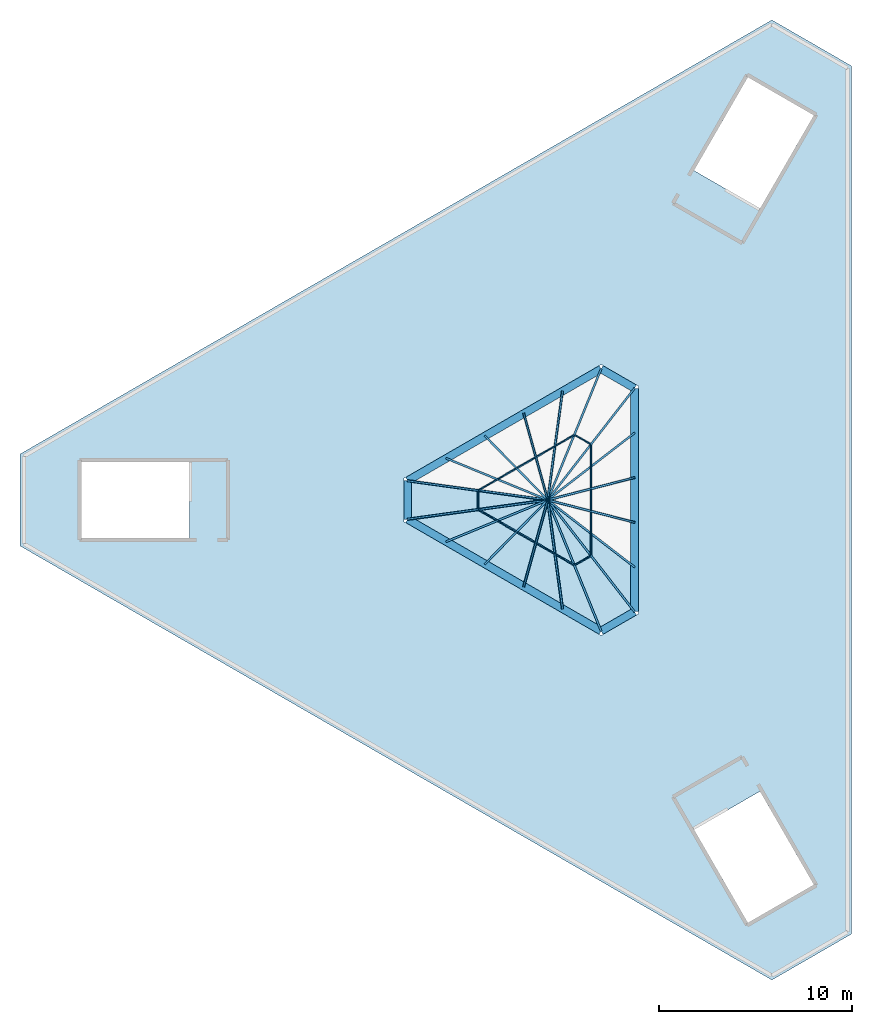
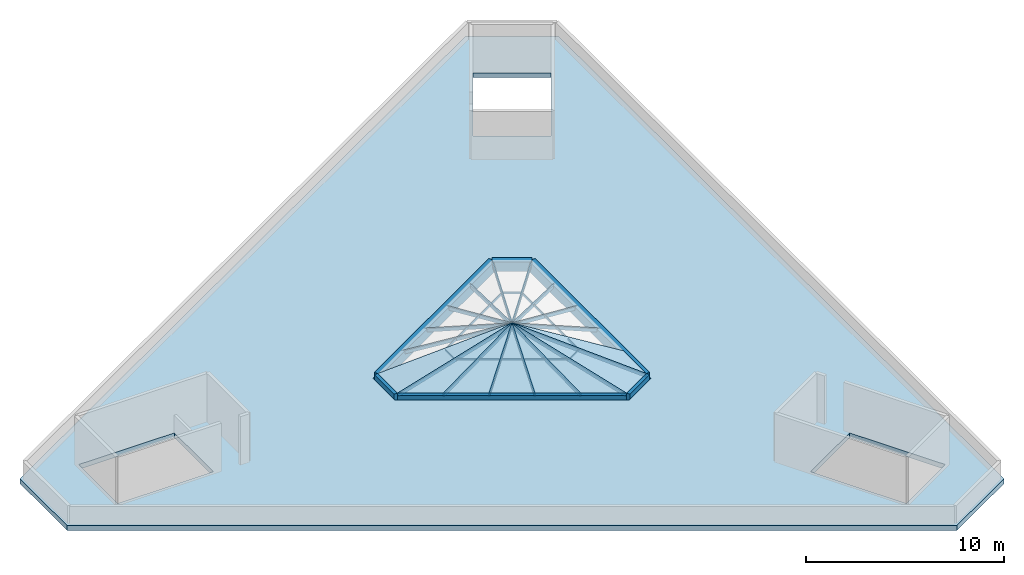
# One storey, part 1 of 2: 36 members, 8 plates, 6 beams, 1 slab, 18 elements without a shape of their own.
"""IFC4 building model written with IfcOpenShell, lengths in metres."""

from ifc_helpers import new_model, si_unit, direction, frame, origin, origin_2d, place, context, subcontext, project, spatial, polyline, rectangle, outline, extrude, material, layer, layer_set, material_profile, profile_set, type_object, element, aggregate, save


model = new_model("IFC4")

# Units and contexts
model_context = context("Model", 3, precision=1e-05, world=origin(), true_north=direction((0.0, 1.0)))
body_context = subcontext(model_context, "Body", "Model", "MODEL_VIEW")
ifc_project = project(units=[si_unit("LENGTHUNIT", "METRE"), si_unit("AREAUNIT", "SQUARE_METRE"), si_unit("VOLUMEUNIT", "CUBIC_METRE"), si_unit("PLANEANGLEUNIT", "RADIAN"), si_unit("MASSUNIT", "GRAM", prefix="KILO")], contexts=[model_context])

# Site, building, storey
site_placement = place(None, origin())
site = spatial("IfcSite", under=ifc_project, at=site_placement, CompositionType="ELEMENT")
building_placement = place(site_placement, origin())
building = spatial("IfcBuilding", under=site, at=building_placement, Name="Jabali Bay Hotel Tower and Convention Centre", CompositionType="ELEMENT")
storey_placement = place(building_placement, frame((0.0, 0.0, 322.300048828125)))
storey = spatial("IfcBuildingStorey", under=building, at=storey_placement, Name="Roof", CompositionType="ELEMENT", Elevation=322.300048828125)

# Beams
ifc_material_1 = material(Name="Concrete C40", Category="concrete")
ifc_material_profile_1 = material_profile(ifc_material_1, rectangle(XDim=0.39990234375, YDim=0.60009765625, at=origin_2d()), Name="Atrium roof curb beam 400 x 600")
ifc_profile_set_1 = profile_set([ifc_material_profile_1], Name="Concrete C40")
beam_type = type_object("IfcBeamType", Name="Atrium roof curb beam 400 x 600", PredefinedType="BEAM", material=ifc_profile_set_1)
beam_1_placement = place(storey_placement, frame((79.5, 74.205810546875, 0.0), z_axis=(0.0, 1.0, 0.0), x_axis=(-1.0, 0.0, 0.0)))
element("IfcBeam", 1, at=beam_1_placement, inside=storey, type_object=beam_type, Name="Atrium roof curb beam", PredefinedType="BEAM", context=body_context, shape_type="SweptSolid", body=[
    extrude(rectangle(XDim=0.39990234375, YDim=0.60009765625, at=origin_2d()), origin(), (0.0, 0.0, 1.0), 11.58837890625),
])
beam_2_placement = place(storey_placement, frame((79.5, 85.794189453125, 0.0), z_axis=(-0.866010750942, 0.50002537861, 0.0), x_axis=(-0.50002537861, -0.866010750942, 0.0)))
element("IfcBeam", 2, at=beam_2_placement, inside=storey, type_object=beam_type, Name="Atrium roof curb beam", PredefinedType="BEAM", context=body_context, shape_type="SweptSolid", body=[
    extrude(rectangle(XDim=0.39990234375, YDim=0.60009765625, at=origin_2d()), origin(), (0.0, 0.0, 1.0), 2.0),
])
beam_3_placement = place(storey_placement, frame((77.76806640625, 86.794189453125, 0.0), z_axis=(-0.866031924989, -0.499988704772, 0.0), x_axis=(0.499988704772, -0.866031924989, 0.0)))
element("IfcBeam", 3, at=beam_3_placement, inside=storey, type_object=beam_type, Name="Atrium roof curb beam", PredefinedType="BEAM", context=body_context, shape_type="SweptSolid", body=[
    extrude(rectangle(XDim=0.39990234375, YDim=0.60009765625, at=origin_2d()), origin(), (0.0, 0.0, 1.0), 11.588623046875),
])
beam_4_placement = place(storey_placement, frame((67.73193359375, 81.0, 0.0), z_axis=(0.0, -1.0, 0.0), x_axis=(1.0, 0.0, 0.0)))
element("IfcBeam", 4, at=beam_4_placement, inside=storey, type_object=beam_type, Name="Atrium roof curb beam", PredefinedType="BEAM", context=body_context, shape_type="SweptSolid", body=[
    extrude(rectangle(XDim=0.39990234375, YDim=0.60009765625, at=origin_2d()), origin(), (0.0, 0.0, 1.0), 2.0),
])
beam_5_placement = place(storey_placement, frame((67.73193359375, 79.0, 0.0), z_axis=(0.866031924989, -0.499988704772, 0.0), x_axis=(0.499988704772, 0.866031924989, 0.0)))
element("IfcBeam", 5, at=beam_5_placement, inside=storey, type_object=beam_type, Name="Atrium roof curb beam", PredefinedType="BEAM", context=body_context, shape_type="SweptSolid", body=[
    extrude(rectangle(XDim=0.39990234375, YDim=0.60009765625, at=origin_2d()), origin(), (0.0, 0.0, 1.0), 11.588623046875),
])
beam_6_placement = place(storey_placement, frame((77.76806640625, 73.205810546875, 0.0), z_axis=(0.866010750942, 0.50002537861, 0.0), x_axis=(-0.50002537861, 0.866010750942, 0.0)))
element("IfcBeam", 6, at=beam_6_placement, inside=storey, type_object=beam_type, Name="Atrium roof curb beam", PredefinedType="BEAM", context=body_context, shape_type="SweptSolid", body=[
    extrude(rectangle(XDim=0.39990234375, YDim=0.60009765625, at=origin_2d()), origin(), (0.0, 0.0, 1.0), 2.0),
])

# Curtain wall, member
ifc_material_2 = material(Name="Steel and glass", Category="steel")
ifc_layer_1 = layer(ifc_material_2, 0.199951171875)
ifc_layer_set_1 = layer_set([ifc_layer_1], Name="Steel and glass")
curtain_wall_type = type_object("IfcCurtainWallType", Name="CW7 sloped glazing", PredefinedType="NOTDEFINED", material=ifc_layer_set_1)
curtain_wall_1_placement = place(storey_placement, origin())
curtain_wall_1 = element("IfcCurtainWall", 7, at=curtain_wall_1_placement, inside=storey, type_object=curtain_wall_type, Name="CW7 sloped glazing atrium roof", PredefinedType="NOTDEFINED")
ifc_material_3 = material(Name="Steel Q355B", Category="steel")
ifc_material_profile_2 = material_profile(ifc_material_3, rectangle(XDim=0.10009765625, YDim=0.199951171875, at=origin_2d()), Name="CW7 hip mullion 100 x 200")
ifc_profile_set_2 = profile_set([ifc_material_profile_2], Name="Steel Q355B")
member_type_1 = type_object("IfcMemberType", Name="CW7 hip mullion 100 x 200", PredefinedType="MULLION", material=ifc_profile_set_2)
member_1_placement = place(storey_placement, frame((79.5, 74.205810546875, 0.166015625), z_axis=(-0.605336963472, 0.779430455408, 0.161416621933), x_axis=(-0.78978744905, -0.613380620271, 0.0)))
member_1 = element("IfcMember", 8, at=member_1_placement, type_object=member_type_1, Name="CW7 hip mullion", PredefinedType="MULLION", context=body_context, shape_type="SweptSolid", body=[
    extrude(rectangle(XDim=0.10009765625, YDim=0.199951171875, at=origin_2d()), origin(), (0.0, 0.0, 1.0), 7.433837890625),
])

curtain_wall_2_placement = place(storey_placement, origin())
curtain_wall_2 = element("IfcCurtainWall", 9, at=curtain_wall_2_placement, inside=storey, type_object=curtain_wall_type, Name="CW7 sloped glazing atrium roof", PredefinedType="NOTDEFINED")
member_2_placement = place(storey_placement, frame((79.5, 76.5234375, 0.164306640625), z_axis=(-0.774294241582, 0.598196072056, 0.206470062792), x_axis=(-0.611369296281, -0.791345426198, 0.0)))
member_2 = element("IfcMember", 10, at=member_2_placement, type_object=member_type_1, Name="CW7 hip mullion", PredefinedType="MULLION", context=body_context, shape_type="SweptSolid", body=[
    extrude(rectangle(XDim=0.10009765625, YDim=0.199951171875, at=origin_2d()), origin(), (0.0, 0.0, 1.0), 5.811767578125),
])

curtain_wall_3_placement = place(storey_placement, origin())
curtain_wall_3 = element("IfcCurtainWall", 11, at=curtain_wall_3_placement, inside=storey, type_object=curtain_wall_type, Name="CW7 sloped glazing atrium roof", PredefinedType="NOTDEFINED")
member_3_placement = place(storey_placement, frame((79.5, 78.841064453125, 0.163330078125), z_axis=(-0.937642154382, 0.241481516214, 0.250027733767), x_axis=(-0.249402882134, -0.968399815357, 0.0)))
member_3 = element("IfcMember", 12, at=member_3_placement, type_object=member_type_1, Name="CW7 hip mullion", PredefinedType="MULLION", context=body_context, shape_type="SweptSolid", body=[
    extrude(rectangle(XDim=0.10009765625, YDim=0.199951171875, at=origin_2d()), origin(), (0.0, 0.0, 1.0), 4.79931640625),
])

curtain_wall_4_placement = place(storey_placement, origin())
curtain_wall_4 = element("IfcCurtainWall", 13, at=curtain_wall_4_placement, inside=storey, type_object=curtain_wall_type, Name="CW7 sloped glazing atrium roof", PredefinedType="NOTDEFINED")
member_4_placement = place(storey_placement, frame((79.5, 81.158935546875, 0.163330078125), z_axis=(-0.937642154382, -0.241481516214, 0.250027733767), x_axis=(0.249402882134, -0.968399815357, 0.0)))
member_4 = element("IfcMember", 14, at=member_4_placement, type_object=member_type_1, Name="CW7 hip mullion", PredefinedType="MULLION", context=body_context, shape_type="SweptSolid", body=[
    extrude(rectangle(XDim=0.10009765625, YDim=0.199951171875, at=origin_2d()), origin(), (0.0, 0.0, 1.0), 4.79931640625),
])

curtain_wall_5_placement = place(storey_placement, origin())
curtain_wall_5 = element("IfcCurtainWall", 15, at=curtain_wall_5_placement, inside=storey, type_object=curtain_wall_type, Name="CW7 sloped glazing atrium roof", PredefinedType="NOTDEFINED")
member_5_placement = place(storey_placement, frame((79.5, 83.4765625, 0.164306640625), z_axis=(-0.774294241582, -0.598196072056, 0.206470062792), x_axis=(0.611369296281, -0.791345426198, 0.0)))
member_5 = element("IfcMember", 16, at=member_5_placement, type_object=member_type_1, Name="CW7 hip mullion", PredefinedType="MULLION", context=body_context, shape_type="SweptSolid", body=[
    extrude(rectangle(XDim=0.10009765625, YDim=0.199951171875, at=origin_2d()), origin(), (0.0, 0.0, 1.0), 5.811767578125),
])

curtain_wall_6_placement = place(storey_placement, origin())
curtain_wall_6 = element("IfcCurtainWall", 17, at=curtain_wall_6_placement, inside=storey, type_object=curtain_wall_type, Name="CW7 sloped glazing atrium roof", PredefinedType="NOTDEFINED")
member_6_placement = place(storey_placement, frame((79.5, 85.794189453125, 0.166015625), z_axis=(-0.605336963472, -0.779430455408, 0.161416621933), x_axis=(0.78978744905, -0.613380620271, 0.0)))
member_6 = element("IfcMember", 18, at=member_6_placement, type_object=member_type_1, Name="CW7 hip mullion", PredefinedType="MULLION", context=body_context, shape_type="SweptSolid", body=[
    extrude(rectangle(XDim=0.10009765625, YDim=0.199951171875, at=origin_2d()), origin(), (0.0, 0.0, 1.0), 7.433837890625),
])

curtain_wall_7_placement = place(storey_placement, origin())
curtain_wall_7 = element("IfcCurtainWall", 19, at=curtain_wall_7_placement, inside=storey, type_object=curtain_wall_type, Name="CW7 sloped glazing atrium roof", PredefinedType="NOTDEFINED")
member_7_placement = place(storey_placement, frame((77.76806640625, 86.794189453125, 0.166015625), z_axis=(-0.372356503004, -0.913945062807, 0.161415788699), x_axis=(0.926089345158, -0.37730428673, 0.0)))
member_7 = element("IfcMember", 20, at=member_7_placement, type_object=member_type_1, Name="CW7 hip mullion", PredefinedType="MULLION", context=body_context, shape_type="SweptSolid", body=[
    extrude(rectangle(XDim=0.10009765625, YDim=0.199951171875, at=origin_2d()), origin(), (0.0, 0.0, 1.0), 7.433837890625),
])

curtain_wall_8_placement = place(storey_placement, origin())
curtain_wall_8 = element("IfcCurtainWall", 21, at=curtain_wall_8_placement, inside=storey, type_object=curtain_wall_type, Name="CW7 sloped glazing atrium roof", PredefinedType="NOTDEFINED")
member_8_placement = place(storey_placement, frame((75.7607421875, 85.635498046875, 0.164306640625), z_axis=(-0.130895306055, -0.9696586488, 0.206466761636), x_axis=(0.991011361316, -0.133777732611, 0.0)))
member_8 = element("IfcMember", 22, at=member_8_placement, type_object=member_type_1, Name="CW7 hip mullion", PredefinedType="MULLION", context=body_context, shape_type="SweptSolid", body=[
    extrude(rectangle(XDim=0.10009765625, YDim=0.199951171875, at=origin_2d()), origin(), (0.0, 0.0, 1.0), 5.811767578125),
])

curtain_wall_9_placement = place(storey_placement, origin())
curtain_wall_9 = element("IfcCurtainWall", 23, at=curtain_wall_9_placement, inside=storey, type_object=curtain_wall_type, Name="CW7 sloped glazing atrium roof", PredefinedType="NOTDEFINED")
member_9_placement = place(storey_placement, frame((73.753662109375, 84.4765625, 0.163330078125), z_axis=(0.259694010136, -0.932761874605, 0.25002861113), x_axis=(0.963359672216, 0.268212866856, 0.0)))
member_9 = element("IfcMember", 24, at=member_9_placement, type_object=member_type_1, Name="CW7 hip mullion", PredefinedType="MULLION", context=body_context, shape_type="SweptSolid", body=[
    extrude(rectangle(XDim=0.10009765625, YDim=0.199951171875, at=origin_2d()), origin(), (0.0, 0.0, 1.0), 4.79931640625),
])

curtain_wall_10_placement = place(storey_placement, origin())
curtain_wall_10 = element("IfcCurtainWall", 25, at=curtain_wall_10_placement, inside=storey, type_object=curtain_wall_type, Name="CW7 sloped glazing atrium roof", PredefinedType="NOTDEFINED")
member_10_placement = place(storey_placement, frame((71.746337890625, 83.317626953125, 0.163330078125), z_axis=(0.677951496774, -0.691279574523, 0.2500286341), x_axis=(0.713955926516, 0.700190641892, 0.0)))
member_10 = element("IfcMember", 26, at=member_10_placement, type_object=member_type_1, Name="CW7 hip mullion", PredefinedType="MULLION", context=body_context, shape_type="SweptSolid", body=[
    extrude(rectangle(XDim=0.10009765625, YDim=0.199951171875, at=origin_2d()), origin(), (0.0, 0.0, 1.0), 4.79931640625),
])

curtain_wall_11_placement = place(storey_placement, origin())
curtain_wall_11 = element("IfcCurtainWall", 27, at=curtain_wall_11_placement, inside=storey, type_object=curtain_wall_type, Name="CW7 sloped glazing atrium roof", PredefinedType="NOTDEFINED")
member_11_placement = place(storey_placement, frame((69.7392578125, 82.158935546875, 0.164306640625), z_axis=(0.905192655631, -0.371478497018, 0.206470294339), x_axis=(0.379659060392, 0.925126476684, 0.0)))
member_11 = element("IfcMember", 28, at=member_11_placement, type_object=member_type_1, Name="CW7 hip mullion", PredefinedType="MULLION", context=body_context, shape_type="SweptSolid", body=[
    extrude(rectangle(XDim=0.10009765625, YDim=0.199951171875, at=origin_2d()), origin(), (0.0, 0.0, 1.0), 5.811767578125),
])

curtain_wall_12_placement = place(storey_placement, origin())
curtain_wall_12 = element("IfcCurtainWall", 29, at=curtain_wall_12_placement, inside=storey, type_object=curtain_wall_type, Name="CW7 sloped glazing atrium roof", PredefinedType="NOTDEFINED")
member_12_placement = place(storey_placement, frame((67.73193359375, 81.0, 0.166015625), z_axis=(0.977676300838, -0.134516698967, 0.161413470562), x_axis=(0.136304072168, 0.990667047958, 0.0)))
member_12 = element("IfcMember", 30, at=member_12_placement, type_object=member_type_1, Name="CW7 hip mullion", PredefinedType="MULLION", context=body_context, shape_type="SweptSolid", body=[
    extrude(rectangle(XDim=0.10009765625, YDim=0.199951171875, at=origin_2d()), origin(), (0.0, 0.0, 1.0), 7.43408203125),
])

curtain_wall_13_placement = place(storey_placement, origin())
curtain_wall_13 = element("IfcCurtainWall", 31, at=curtain_wall_13_placement, inside=storey, type_object=curtain_wall_type, Name="CW7 sloped glazing atrium roof", PredefinedType="NOTDEFINED")
member_13_placement = place(storey_placement, frame((67.73193359375, 79.0, 0.166015625), z_axis=(0.977676300838, 0.134516698967, 0.161413470562), x_axis=(-0.136304072168, 0.990667047958, 0.0)))
member_13 = element("IfcMember", 32, at=member_13_placement, type_object=member_type_1, Name="CW7 hip mullion", PredefinedType="MULLION", context=body_context, shape_type="SweptSolid", body=[
    extrude(rectangle(XDim=0.10009765625, YDim=0.199951171875, at=origin_2d()), origin(), (0.0, 0.0, 1.0), 7.43408203125),
])

curtain_wall_14_placement = place(storey_placement, origin())
curtain_wall_14 = element("IfcCurtainWall", 33, at=curtain_wall_14_placement, inside=storey, type_object=curtain_wall_type, Name="CW7 sloped glazing atrium roof", PredefinedType="NOTDEFINED")
member_14_placement = place(storey_placement, frame((69.7392578125, 77.841064453125, 0.164306640625), z_axis=(0.905192655631, 0.371478497018, 0.206470294339), x_axis=(-0.379659060392, 0.925126476684, 0.0)))
member_14 = element("IfcMember", 34, at=member_14_placement, type_object=member_type_1, Name="CW7 hip mullion", PredefinedType="MULLION", context=body_context, shape_type="SweptSolid", body=[
    extrude(rectangle(XDim=0.10009765625, YDim=0.199951171875, at=origin_2d()), origin(), (0.0, 0.0, 1.0), 5.811767578125),
])

curtain_wall_15_placement = place(storey_placement, origin())
curtain_wall_15 = element("IfcCurtainWall", 35, at=curtain_wall_15_placement, inside=storey, type_object=curtain_wall_type, Name="CW7 sloped glazing atrium roof", PredefinedType="NOTDEFINED")
member_15_placement = place(storey_placement, frame((71.746337890625, 76.682373046875, 0.163330078125), z_axis=(0.677951496774, 0.691279574523, 0.2500286341), x_axis=(-0.713955926516, 0.700190641892, 0.0)))
member_15 = element("IfcMember", 36, at=member_15_placement, type_object=member_type_1, Name="CW7 hip mullion", PredefinedType="MULLION", context=body_context, shape_type="SweptSolid", body=[
    extrude(rectangle(XDim=0.10009765625, YDim=0.199951171875, at=origin_2d()), origin(), (0.0, 0.0, 1.0), 4.79931640625),
])

curtain_wall_16_placement = place(storey_placement, origin())
curtain_wall_16 = element("IfcCurtainWall", 37, at=curtain_wall_16_placement, inside=storey, type_object=curtain_wall_type, Name="CW7 sloped glazing atrium roof", PredefinedType="NOTDEFINED")
member_16_placement = place(storey_placement, frame((73.753662109375, 75.5234375, 0.163330078125), z_axis=(0.259694010136, 0.932761874605, 0.25002861113), x_axis=(-0.963359672216, 0.268212866856, 0.0)))
member_16 = element("IfcMember", 38, at=member_16_placement, type_object=member_type_1, Name="CW7 hip mullion", PredefinedType="MULLION", context=body_context, shape_type="SweptSolid", body=[
    extrude(rectangle(XDim=0.10009765625, YDim=0.199951171875, at=origin_2d()), origin(), (0.0, 0.0, 1.0), 4.79931640625),
])

curtain_wall_17_placement = place(storey_placement, origin())
curtain_wall_17 = element("IfcCurtainWall", 39, at=curtain_wall_17_placement, inside=storey, type_object=curtain_wall_type, Name="CW7 sloped glazing atrium roof", PredefinedType="NOTDEFINED")
member_17_placement = place(storey_placement, frame((75.7607421875, 74.364501953125, 0.164306640625), z_axis=(-0.130895306055, 0.9696586488, 0.206466761636), x_axis=(-0.991011361316, -0.133777732611, 0.0)))
member_17 = element("IfcMember", 40, at=member_17_placement, type_object=member_type_1, Name="CW7 hip mullion", PredefinedType="MULLION", context=body_context, shape_type="SweptSolid", body=[
    extrude(rectangle(XDim=0.10009765625, YDim=0.199951171875, at=origin_2d()), origin(), (0.0, 0.0, 1.0), 5.811767578125),
])

curtain_wall_18_placement = place(storey_placement, origin())
curtain_wall_18 = element("IfcCurtainWall", 41, at=curtain_wall_18_placement, inside=storey, type_object=curtain_wall_type, Name="CW7 sloped glazing atrium roof", PredefinedType="NOTDEFINED")
member_18_placement = place(storey_placement, frame((77.76806640625, 73.205810546875, 0.166015625), z_axis=(-0.372356503004, 0.913945062807, 0.161415788699), x_axis=(-0.926089345158, -0.37730428673, 0.0)))
member_18 = element("IfcMember", 42, at=member_18_placement, type_object=member_type_1, Name="CW7 hip mullion", PredefinedType="MULLION", context=body_context, shape_type="SweptSolid", body=[
    extrude(rectangle(XDim=0.10009765625, YDim=0.199951171875, at=origin_2d()), origin(), (0.0, 0.0, 1.0), 7.433837890625),
])

# Member
ifc_material_profile_3 = material_profile(ifc_material_3, rectangle(XDim=0.050048828125, YDim=0.1201171875, at=origin_2d()), Name="CW7 purlin transom 50 x 120")
ifc_profile_set_3 = profile_set([ifc_material_profile_3], Name="Steel Q355B")
member_type_2 = type_object("IfcMemberType", Name="CW7 purlin transom 50 x 120", PredefinedType="USERDEFINED", material=ifc_profile_set_3)
member_19_placement = place(storey_placement, frame((77.234619140625, 77.15283203125, 0.802490234375), z_axis=(0.0, 1.0, 0.0), x_axis=(-0.966235016852, 0.0, 0.257662360869)))
member_19 = element("IfcMember", 43, at=member_19_placement, type_object=member_type_2, Name="CW7 purlin transom", ObjectType="TRANSOM", PredefinedType="USERDEFINED", context=body_context, shape_type="SweptSolid", body=[
    extrude(rectangle(XDim=0.050048828125, YDim=0.1201171875, at=origin_2d()), origin(), (0.0, 0.0, 1.0), 1.058837890625),
])

member_20_placement = place(storey_placement, frame((77.234619140625, 78.311767578125, 0.802490234375), z_axis=(0.0, 1.0, 0.0), x_axis=(-0.966235016852, 0.0, 0.257662360869)))
member_20 = element("IfcMember", 44, at=member_20_placement, type_object=member_type_2, Name="CW7 purlin transom", ObjectType="TRANSOM", PredefinedType="USERDEFINED", context=body_context, shape_type="SweptSolid", body=[
    extrude(rectangle(XDim=0.050048828125, YDim=0.1201171875, at=origin_2d()), origin(), (0.0, 0.0, 1.0), 1.058837890625),
])

aggregate(curtain_wall_2, [member_20, member_2])

member_21_placement = place(storey_placement, frame((77.234619140625, 79.470703125, 0.802490234375), z_axis=(0.0, 1.0, 0.0), x_axis=(-0.966235016852, 0.0, 0.257662360869)))
member_21 = element("IfcMember", 45, at=member_21_placement, type_object=member_type_2, Name="CW7 purlin transom", ObjectType="TRANSOM", PredefinedType="USERDEFINED", context=body_context, shape_type="SweptSolid", body=[
    extrude(rectangle(XDim=0.050048828125, YDim=0.1201171875, at=origin_2d()), origin(), (0.0, 0.0, 1.0), 1.05859375),
])

aggregate(curtain_wall_3, [member_21, member_3])

member_22_placement = place(storey_placement, frame((77.234619140625, 80.62939453125, 0.802490234375), z_axis=(0.0, 1.0, 0.0), x_axis=(-0.966235016852, 0.0, 0.257662360869)))
member_22 = element("IfcMember", 46, at=member_22_placement, type_object=member_type_2, Name="CW7 purlin transom", ObjectType="TRANSOM", PredefinedType="USERDEFINED", context=body_context, shape_type="SweptSolid", body=[
    extrude(rectangle(XDim=0.050048828125, YDim=0.1201171875, at=origin_2d()), origin(), (0.0, 0.0, 1.0), 1.058837890625),
])

aggregate(curtain_wall_4, [member_22, member_4])

member_23_placement = place(storey_placement, frame((77.234619140625, 81.788330078125, 0.802490234375), z_axis=(0.0, 1.0, 0.0), x_axis=(-0.966235016852, 0.0, 0.257662360869)))
member_23 = element("IfcMember", 47, at=member_23_placement, type_object=member_type_2, Name="CW7 purlin transom", ObjectType="TRANSOM", PredefinedType="USERDEFINED", context=body_context, shape_type="SweptSolid", body=[
    extrude(rectangle(XDim=0.050048828125, YDim=0.1201171875, at=origin_2d()), origin(), (0.0, 0.0, 1.0), 1.058837890625),
])

aggregate(curtain_wall_5, [member_23, member_5])

member_24_placement = place(storey_placement, frame((77.201904296875, 82.91357421875, 0.80224609375), z_axis=(-0.866081705922, 0.499902469156, 0.0), x_axis=(-0.493224869372, -0.854512755238, 0.16290236146)))
member_24 = element("IfcMember", 48, at=member_24_placement, type_object=member_type_2, Name="CW7 purlin transom", ObjectType="TRANSOM", PredefinedType="USERDEFINED", context=body_context, shape_type="SweptSolid", body=[
    extrude(rectangle(XDim=0.050048828125, YDim=0.1201171875, at=origin_2d()), origin(), (0.0, 0.0, 1.0), 0.900146484375),
])

aggregate(curtain_wall_6, [member_24, member_6])

member_25_placement = place(storey_placement, frame((76.348388671875, 83.358642578125, 0.802490234375), z_axis=(-0.866078079006, -0.499908752739, 0.0), x_axis=(0.483029342127, -0.836834967264, 0.257662360869)))
member_25 = element("IfcMember", 49, at=member_25_placement, type_object=member_type_2, Name="CW7 purlin transom", ObjectType="TRANSOM", PredefinedType="USERDEFINED", context=body_context, shape_type="SweptSolid", body=[
    extrude(rectangle(XDim=0.050048828125, YDim=0.1201171875, at=origin_2d()), origin(), (0.0, 0.0, 1.0), 1.058837890625),
])

aggregate(curtain_wall_7, [member_25, member_7])

member_26_placement = place(storey_placement, frame((75.3447265625, 82.779296875, 0.802490234375), z_axis=(-0.866078079006, -0.499908752739, 0.0), x_axis=(0.483029342127, -0.836834967264, 0.257662360869)))
member_26 = element("IfcMember", 50, at=member_26_placement, type_object=member_type_2, Name="CW7 purlin transom", ObjectType="TRANSOM", PredefinedType="USERDEFINED", context=body_context, shape_type="SweptSolid", body=[
    extrude(rectangle(XDim=0.050048828125, YDim=0.1201171875, at=origin_2d()), origin(), (0.0, 0.0, 1.0), 1.058837890625),
])

aggregate(curtain_wall_8, [member_26, member_8])

member_27_placement = place(storey_placement, frame((74.34130859375, 82.199951171875, 0.802490234375), z_axis=(-0.86597823907, -0.500081682786, 0.0), x_axis=(0.483196433194, -0.836738498421, 0.257662360869)))
member_27 = element("IfcMember", 51, at=member_27_placement, type_object=member_type_2, Name="CW7 purlin transom", ObjectType="TRANSOM", PredefinedType="USERDEFINED", context=body_context, shape_type="SweptSolid", body=[
    extrude(rectangle(XDim=0.050048828125, YDim=0.1201171875, at=origin_2d()), origin(), (0.0, 0.0, 1.0), 1.058837890625),
])

aggregate(curtain_wall_9, [member_27, member_9])

member_28_placement = place(storey_placement, frame((73.337646484375, 81.62060546875, 0.802490234375), z_axis=(-0.86597823907, -0.500081682786, 0.0), x_axis=(0.483196433194, -0.836738498421, 0.257662360869)))
member_28 = element("IfcMember", 52, at=member_28_placement, type_object=member_type_2, Name="CW7 purlin transom", ObjectType="TRANSOM", PredefinedType="USERDEFINED", context=body_context, shape_type="SweptSolid", body=[
    extrude(rectangle(XDim=0.050048828125, YDim=0.1201171875, at=origin_2d()), origin(), (0.0, 0.0, 1.0), 1.058837890625),
])

aggregate(curtain_wall_10, [member_28, member_10])

member_29_placement = place(storey_placement, frame((72.333984375, 81.041015625, 0.802490234375), z_axis=(-0.866078079006, -0.499908752739, 0.0), x_axis=(0.483029342127, -0.836834967264, 0.257662360869)))
member_29 = element("IfcMember", 53, at=member_29_placement, type_object=member_type_2, Name="CW7 purlin transom", ObjectType="TRANSOM", PredefinedType="USERDEFINED", context=body_context, shape_type="SweptSolid", body=[
    extrude(rectangle(XDim=0.050048828125, YDim=0.1201171875, at=origin_2d()), origin(), (0.0, 0.0, 1.0), 1.058837890625),
])

aggregate(curtain_wall_11, [member_29, member_11])

member_30_placement = place(storey_placement, frame((71.375732421875, 80.449951171875, 0.80224609375), z_axis=(0.0, -1.0, 0.0), x_axis=(0.986642194836, 0.0, 0.16290236146)))
member_30 = element("IfcMember", 54, at=member_30_placement, type_object=member_type_2, Name="CW7 purlin transom", ObjectType="TRANSOM", PredefinedType="USERDEFINED", context=body_context, shape_type="SweptSolid", body=[
    extrude(rectangle(XDim=0.050048828125, YDim=0.1201171875, at=origin_2d()), origin(), (0.0, 0.0, 1.0), 0.89990234375),
])

member_31_placement = place(storey_placement, frame((71.4169921875, 79.48828125, 0.802490234375), z_axis=(0.866078079006, -0.499908752739, 0.0), x_axis=(0.483029342127, 0.836834967264, 0.257662360869)))
member_31 = element("IfcMember", 55, at=member_31_placement, type_object=member_type_2, Name="CW7 purlin transom", ObjectType="TRANSOM", PredefinedType="USERDEFINED", context=body_context, shape_type="SweptSolid", body=[
    extrude(rectangle(XDim=0.050048828125, YDim=0.1201171875, at=origin_2d()), origin(), (0.0, 0.0, 1.0), 1.058837890625),
])

member_32_placement = place(storey_placement, frame((72.420654296875, 78.908935546875, 0.802490234375), z_axis=(0.86597823907, -0.500081682786, 0.0), x_axis=(0.483196433194, 0.836738498421, 0.257662360869)))
member_32 = element("IfcMember", 56, at=member_32_placement, type_object=member_type_2, Name="CW7 purlin transom", ObjectType="TRANSOM", PredefinedType="USERDEFINED", context=body_context, shape_type="SweptSolid", body=[
    extrude(rectangle(XDim=0.050048828125, YDim=0.1201171875, at=origin_2d()), origin(), (0.0, 0.0, 1.0), 1.058837890625),
])

member_33_placement = place(storey_placement, frame((73.42431640625, 78.32958984375, 0.802490234375), z_axis=(0.86597823907, -0.500081682786, 0.0), x_axis=(0.483196433194, 0.836738498421, 0.257662360869)))
member_33 = element("IfcMember", 57, at=member_33_placement, type_object=member_type_2, Name="CW7 purlin transom", ObjectType="TRANSOM", PredefinedType="USERDEFINED", context=body_context, shape_type="SweptSolid", body=[
    extrude(rectangle(XDim=0.050048828125, YDim=0.1201171875, at=origin_2d()), origin(), (0.0, 0.0, 1.0), 1.058837890625),
])

member_34_placement = place(storey_placement, frame((74.427734375, 77.75, 0.802490234375), z_axis=(0.866078079006, -0.499908752739, 0.0), x_axis=(0.483029342127, 0.836834967264, 0.257662360869)))
member_34 = element("IfcMember", 58, at=member_34_placement, type_object=member_type_2, Name="CW7 purlin transom", ObjectType="TRANSOM", PredefinedType="USERDEFINED", context=body_context, shape_type="SweptSolid", body=[
    extrude(rectangle(XDim=0.050048828125, YDim=0.1201171875, at=origin_2d()), origin(), (0.0, 0.0, 1.0), 1.058837890625),
])

member_35_placement = place(storey_placement, frame((75.431396484375, 77.170654296875, 0.802490234375), z_axis=(0.866078079006, -0.499908752739, 0.0), x_axis=(0.483029342127, 0.836834967264, 0.257662360869)))
member_35 = element("IfcMember", 59, at=member_35_placement, type_object=member_type_2, Name="CW7 purlin transom", ObjectType="TRANSOM", PredefinedType="USERDEFINED", context=body_context, shape_type="SweptSolid", body=[
    extrude(rectangle(XDim=0.050048828125, YDim=0.1201171875, at=origin_2d()), origin(), (0.0, 0.0, 1.0), 1.058837890625),
])

member_36_placement = place(storey_placement, frame((76.42236328125, 76.636474609375, 0.80224609375), z_axis=(0.866081705922, 0.499902469156, 0.0), x_axis=(-0.493224869372, 0.854512755238, 0.16290236146)))
member_36 = element("IfcMember", 60, at=member_36_placement, type_object=member_type_2, Name="CW7 purlin transom", ObjectType="TRANSOM", PredefinedType="USERDEFINED", context=body_context, shape_type="SweptSolid", body=[
    extrude(rectangle(XDim=0.050048828125, YDim=0.1201171875, at=origin_2d()), origin(), (0.0, 0.0, 1.0), 0.900146484375),
])

# Plate
ifc_material_4 = material(Name="Glass", Category="glass")
ifc_layer_2 = layer(ifc_material_4, 0.0400390625)
ifc_layer_set_2 = layer_set([ifc_layer_2], Name="Glass")
plate_type = type_object("IfcPlateType", Name="CW7 glass panel 40", PredefinedType="CURTAIN_PANEL", material=ifc_layer_set_2)
plate_1_placement = place(storey_placement, frame((79.5, 74.205810546875, 0.300048828125), z_axis=(0.257652862255, 0.0, 0.966237549763), x_axis=(0.0, 1.0, 0.0)))
plate_1 = element("IfcPlate", 61, at=plate_1_placement, type_object=plate_type, Name="Atrium skylight panel", PredefinedType="CURTAIN_PANEL", context=body_context, shape_type="SweptSolid", body=[
    extrude(outline(polyline([(0.0, 0.0), (2.317626953125, 0.0), (5.794189453125, 4.6572265625), (0.0, 0.0)])), origin(), (0.0, 0.0, -1.0), 0.0400390625),
])

aggregate(curtain_wall_1, [plate_1, member_19, member_1])

plate_2_placement = place(storey_placement, frame((67.732177734375, 81.0, 0.300048828125), z_axis=(-0.162899287256, 0.0, 0.986642702406), x_axis=(0.0, -1.0, 0.0)))
plate_2 = element("IfcPlate", 62, at=plate_2_placement, type_object=plate_type, Name="Atrium skylight panel", PredefinedType="CURTAIN_PANEL", context=body_context, shape_type="SweptSolid", body=[
    extrude(outline(polyline([(0.0, 0.0), (2.0, 0.0), (1.0, 7.3662109375), (0.0, 0.0)])), origin(), (0.0, 0.0, -1.0), 0.0400390625),
])

aggregate(curtain_wall_12, [plate_2, member_30, member_12])

plate_3_placement = place(storey_placement, frame((67.732177734375, 79.0, 0.300048828125), z_axis=(-0.128825657308, -0.223151228135, 0.966233656732), x_axis=(0.866043492773, -0.499968667644, 0.0)))
plate_3 = element("IfcPlate", 63, at=plate_3_placement, type_object=plate_type, Name="Atrium skylight panel", PredefinedType="CURTAIN_PANEL", context=body_context, shape_type="SweptSolid", body=[
    extrude(outline(polyline([(0.0, 0.0), (2.317626953125, 0.0), (5.794189453125, 4.656982421875), (0.0, 0.0)])), origin(), (0.0, 0.0, -1.0), 0.0400390625),
])

aggregate(curtain_wall_13, [plate_3, member_31, member_13])

plate_4_placement = place(storey_placement, frame((69.7392578125, 77.84130859375, 0.300048828125), z_axis=(-0.128837536424, -0.223124791857, 0.966238177918), x_axis=(0.865997877636, -0.500047673657, 0.0)))
plate_4 = element("IfcPlate", 64, at=plate_4_placement, type_object=plate_type, Name="Atrium skylight panel", PredefinedType="CURTAIN_PANEL", context=body_context, shape_type="SweptSolid", body=[
    extrude(outline(polyline([(0.0, 0.0), (2.317626953125, 0.0), (3.476318359375, 4.6572265625), (0.0, 0.0)])), origin(), (0.0, 0.0, -1.0), 0.0400390625),
])

aggregate(curtain_wall_14, [plate_4, member_32, member_14])

plate_5_placement = place(storey_placement, frame((71.746337890625, 76.682373046875, 0.300048828125), z_axis=(-0.128827415555, -0.223134402926, 0.966237307928), x_axis=(0.866024213985, -0.500002060787, 0.0)))
plate_5 = element("IfcPlate", 65, at=plate_5_placement, type_object=plate_type, Name="Atrium skylight panel", PredefinedType="CURTAIN_PANEL", context=body_context, shape_type="SweptSolid", body=[
    extrude(outline(polyline([(0.0, 0.0), (2.31787109375, 0.0), (1.158935546875, 4.6572265625), (0.0, 0.0)])), origin(), (0.0, 0.0, -1.0), 0.0400390625),
])

aggregate(curtain_wall_15, [plate_5, member_33, member_15])

plate_6_placement = place(storey_placement, frame((73.753662109375, 75.5234375, 0.300048828125), z_axis=(-0.128840799718, -0.223130443328, 0.966236437725), x_axis=(0.865997877636, -0.500047673657, 0.0)))
plate_6 = element("IfcPlate", 66, at=plate_6_placement, type_object=plate_type, Name="Atrium skylight panel", PredefinedType="CURTAIN_PANEL", context=body_context, shape_type="SweptSolid", body=[
    extrude(outline(polyline([(0.0, 0.0), (2.317626953125, 0.0), (-1.1591796875, 4.6572265625), (0.0, 0.0)])), origin(), (0.0, 0.0, -1.0), 0.0400390625),
])

aggregate(curtain_wall_16, [plate_6, member_34, member_16])

plate_7_placement = place(storey_placement, frame((75.7607421875, 74.364501953125, 0.300048828125), z_axis=(-0.128811966942, -0.223127513744, 0.966240958448), x_axis=(0.866043492773, -0.499968667644, 0.0)))
plate_7 = element("IfcPlate", 67, at=plate_7_placement, type_object=plate_type, Name="Atrium skylight panel", PredefinedType="CURTAIN_PANEL", context=body_context, shape_type="SweptSolid", body=[
    extrude(outline(polyline([(0.0, 0.0), (2.317626953125, 0.0), (-3.476318359375, 4.657470703125), (0.0, 0.0)])), origin(), (0.0, 0.0, -1.0), 0.0400390625),
])

aggregate(curtain_wall_17, [plate_7, member_35, member_17])

plate_8_placement = place(storey_placement, frame((77.767822265625, 73.205810546875, 0.300048828125), z_axis=(0.081444499003, -0.14107634776, 0.986642923091), x_axis=(0.866041268327, 0.499972520799, 0.0)))
plate_8 = element("IfcPlate", 68, at=plate_8_placement, type_object=plate_type, Name="Atrium skylight panel", PredefinedType="CURTAIN_PANEL", context=body_context, shape_type="SweptSolid", body=[
    extrude(outline(polyline([(0.0, 0.0), (2.0, 0.0), (0.999755859375, 7.3662109375), (0.0, 0.0)])), origin(), (0.0, 0.0, -1.0), 0.0400390625),
])

aggregate(curtain_wall_18, [plate_8, member_36, member_18])

# Slab
ifc_layer_3 = layer(ifc_material_1, 0.300048828125)
ifc_layer_set_3 = layer_set([ifc_layer_3], Name="Concrete C40")
slab_type = type_object("IfcSlabType", Name="Roof slab 300", PredefinedType="ROOF", material=ifc_layer_set_3)
slab_placement = place(storey_placement, frame((0.0, 0.0, -0.300048828125)))
element("IfcSlab", 69, at=slab_placement, inside=storey, type_object=slab_type, Name="Roof slab", PredefinedType="ROOF", context=body_context, shape_type="SweptSolid", body=[
    extrude(outline(polyline([(86.625244140625, 55.10302734375), (47.6259765625, 77.619384765625), (47.6259765625, 82.380615234375), (86.625244140625, 104.89697265625), (90.748779296875, 102.516357421875), (90.748779296875, 57.483642578125), (86.625244140625, 55.10302734375)]), holes=[polyline([(79.699951171875, 85.90966796875), (77.76806640625, 87.025146484375), (67.531982421875, 81.115478515625), (67.531982421875, 78.884521484375), (77.76806640625, 72.974853515625), (79.699951171875, 74.09033203125), (79.699951171875, 85.90966796875)]), polyline([(50.820068359375, 78.02490234375), (50.820068359375, 81.97509765625), (56.409912109375, 81.97509765625), (56.409912109375, 78.02490234375), (50.820068359375, 78.02490234375)]), polyline([(85.379638671875, 101.927978515625), (88.80029296875, 99.952880859375), (86.00537109375, 95.11181640625), (82.584716796875, 97.0869140625), (85.379638671875, 101.927978515625)]), polyline([(88.80029296875, 60.047119140625), (85.379638671875, 58.072021484375), (82.584716796875, 62.9130859375), (86.00537109375, 64.88818359375), (88.80029296875, 60.047119140625)])]), origin(), (0.0, 0.0, 1.0), 0.300048828125),
])

save(model, "model.ifc")
